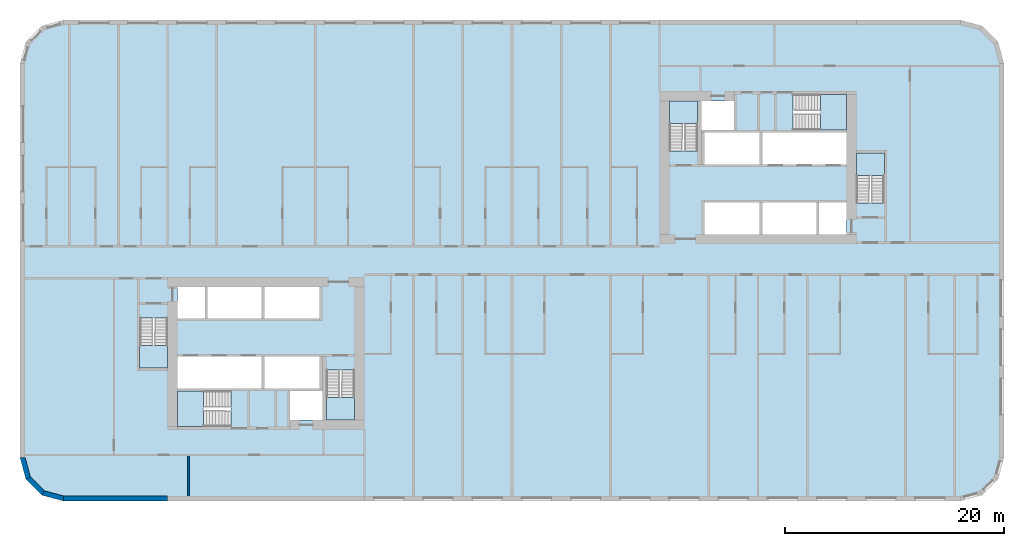
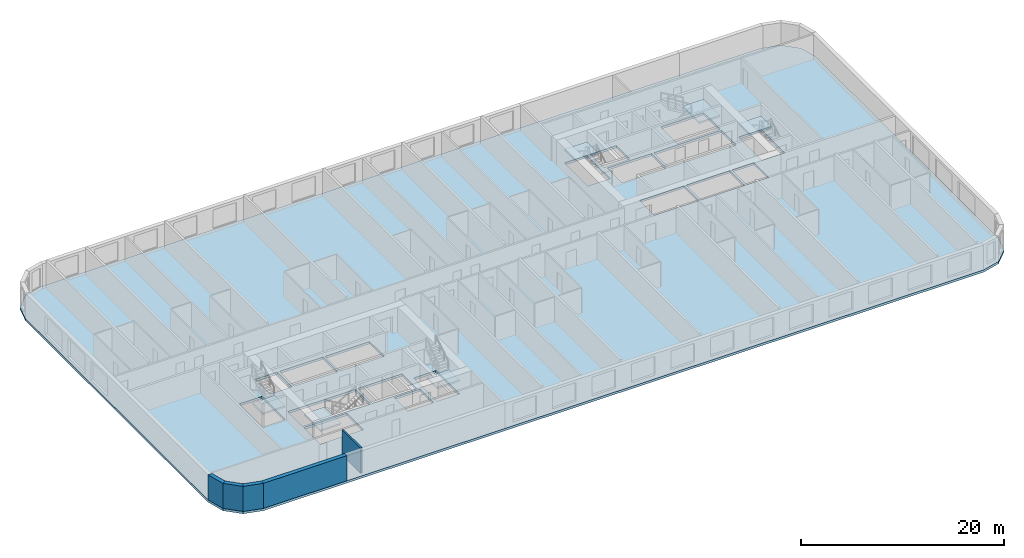
# One storey, part 1 of 12: 7 slabs, 5 walls, 6 elements without a shape of their own.
"""IFC4 building model written with IfcOpenShell, lengths in metres."""

import ifcopenshell
import ifcopenshell.guid

model = None  # the IFC model being written
_history = None  # IfcOwnerHistory: only IFC2X3 demands one
_inside = {}  # id of a spatial element -> (the spatial element, [elements in it])
_under = {}  # id of a project, library or spatial element -> (it, [spatial elements below it])
_declared = {}  # id of a project -> (the project, [libraries it declares])
_typed = {}  # id of a type object -> (the type object, [elements of that type])
_made_of = {}  # id of a material, layer set ... -> (it, [elements and type objects made of it])


def new_model(schema):
    """Start an empty IFC model of exactly this schema.

    Asked for "IFC4X3", IfcOpenShell would pick the latest addendum, in which some entities
    have other attributes; the version numbers below select the first issue.
    IFC2X3 requires an IfcOwnerHistory on every rooted entity: one is made here for all.
    """
    global model, _history
    if schema == "IFC4X3":
        model = ifcopenshell.file(schema_version=(4, 3, 0, 0))
    else:
        model = ifcopenshell.file(schema=schema)
    _inside.clear()
    _under.clear()
    _declared.clear()
    _typed.clear()
    _made_of.clear()
    _history = None
    if model.schema == "IFC2X3":
        org = make("IfcOrganization", Name="unknown")
        user = make(
            "IfcPersonAndOrganization",
            ThePerson=make("IfcPerson", FamilyName="unknown"),
            TheOrganization=org,
        )
        app = make(
            "IfcApplication",
            ApplicationDeveloper=org,
            Version="unknown",
            ApplicationFullName="unknown",
            ApplicationIdentifier="unknown",
        )
        _history = make(
            "IfcOwnerHistory",
            OwningUser=user,
            OwningApplication=app,
            ChangeAction="ADDED",
            CreationDate=0,
        )
    return model


def make(cls, **values):
    """One entity of the class cls with the attributes given. An attribute that is None is left unset."""
    return model.create_entity(
        cls, **{name: value for name, value in values.items() if value is not None}
    )


def rooted(cls, **values):
    """An entity with a GlobalId (a new one), such as an element, a storey or a relation."""
    return make(cls, GlobalId=ifcopenshell.guid.new(), OwnerHistory=_history, **values)


def si_unit(unit_type, name, prefix=None):
    """IfcSIUnit, for example si_unit("LENGTHUNIT", "METRE", prefix="MILLI")."""
    return make("IfcSIUnit", UnitType=unit_type, Prefix=prefix, Name=name)


def assignment(units):
    """IfcUnitAssignment: the units of a project."""
    return None if units is None else make("IfcUnitAssignment", Units=units)


def point(xyz):
    """IfcCartesianPoint."""
    return None if xyz is None else make("IfcCartesianPoint", Coordinates=xyz)


def direction(xyz):
    """IfcDirection."""
    return None if xyz is None else make("IfcDirection", DirectionRatios=xyz)


def frame(location, z_axis=None, x_axis=None):
    """IfcAxis2Placement3D, a coordinate frame: its origin and axes. An axis left out is left unset."""
    return make(
        "IfcAxis2Placement3D",
        Location=point(location),
        Axis=direction(z_axis),
        RefDirection=direction(x_axis),
    )


def frame_2d(location, x_axis=None):
    """IfcAxis2Placement2D, a coordinate frame in the plane: its origin and x axis."""
    return make(
        "IfcAxis2Placement2D", Location=point(location), RefDirection=direction(x_axis)
    )


def origin():
    """The frame at (0, 0, 0) with its axes left unset."""
    return frame((0.0, 0.0, 0.0))


def place(relative_to, where):
    """IfcLocalPlacement: puts the frame where relative to a parent placement (None: the world)."""
    return make(
        "IfcLocalPlacement", PlacementRelTo=relative_to, RelativePlacement=where
    )


def context(
    kind, dimensions, precision=None, world=None, true_north=None, identifier=None
):
    """IfcGeometricRepresentationContext, for example the 3D "Model" context."""
    return make(
        "IfcGeometricRepresentationContext",
        ContextIdentifier=identifier,
        ContextType=kind,
        CoordinateSpaceDimension=dimensions,
        Precision=precision,
        WorldCoordinateSystem=world,
        TrueNorth=true_north,
    )


def subcontext(parent, identifier, kind, view, scale=None):
    """IfcGeometricRepresentationSubContext, for example "Body" below "Model"."""
    return make(
        "IfcGeometricRepresentationSubContext",
        ContextIdentifier=identifier,
        ContextType=kind,
        ParentContext=parent,
        TargetScale=scale,
        TargetView=view,
    )


def project(units=None, contexts=None):
    """IfcProject with its units and contexts."""
    return rooted(
        "IfcProject",
        Name="project",
        RepresentationContexts=contexts,
        UnitsInContext=assignment(units),
    )


def spatial(cls, under=None, at=None, **own):
    """A site, building, storey or space (cls), placed at a placement, below another one or the project."""
    s = rooted(cls, ObjectPlacement=at, **own)
    if under is not None:
        _under.setdefault(under.id(), (under, []))[1].append(s)
    return s


def polyline(points):
    """IfcPolyline through the points."""
    return make("IfcPolyline", Points=[point(p) for p in points])


def profile(cls, at=None, kind="AREA", **sizes):
    """A parametric profile (cls). Its sizes go by their IFC names, for example OverallWidth=200.0."""
    return make(cls, ProfileType=kind, Position=at, **sizes)


def rectangle(**sizes):
    """IfcRectangleProfileDef."""
    return profile("IfcRectangleProfileDef", **sizes)


def outline(outer, holes=None, kind="AREA"):
    """IfcArbitraryClosedProfileDef: a profile drawn as a closed curve; with holes, ...WithVoids."""
    if holes is None:
        return make("IfcArbitraryClosedProfileDef", ProfileType=kind, OuterCurve=outer)
    return make(
        "IfcArbitraryProfileDefWithVoids",
        ProfileType=kind,
        OuterCurve=outer,
        InnerCurves=holes,
    )


def extrude(swept, where, along, depth):
    """IfcExtrudedAreaSolid: the profile swept, set in the frame where, extruded along a direction by depth."""
    return make(
        "IfcExtrudedAreaSolid",
        SweptArea=swept,
        Position=where,
        ExtrudedDirection=direction(along),
        Depth=depth,
    )


def shape(context_of_items, identifier, shape_type, items):
    """IfcShapeRepresentation: the items that make up one representation, for example the "Body"."""
    return make(
        "IfcShapeRepresentation",
        ContextOfItems=context_of_items,
        RepresentationIdentifier=identifier,
        RepresentationType=shape_type,
        Items=items,
    )


def material(Name=None, Category=None):
    """IfcMaterial."""
    return make("IfcMaterial", Name=Name, Category=Category)


def layer(
    of_material, thickness, ventilated=None, Name=None, Category=None, Priority=None
):
    """IfcMaterialLayer: one layer of a wall or slab, of a material (None: an air gap)."""
    return make(
        "IfcMaterialLayer",
        Material=of_material,
        LayerThickness=thickness,
        IsVentilated=ventilated,
        Name=Name,
        Category=Category,
        Priority=Priority,
    )


def layer_set(layers, Name=None):
    """IfcMaterialLayerSet."""
    return make("IfcMaterialLayerSet", MaterialLayers=layers, LayerSetName=Name)


def made_of(thing, what):
    """Note that an element or type object is made of a material, layer set ...; save() writes the relation."""
    if what is not None:
        _made_of.setdefault(what.id(), (what, []))[1].append(thing)
    return thing


def type_object(cls, material=None, **own):
    """A type object (cls), such as IfcWallType, which elements share."""
    return made_of(rooted(cls, **own), material)


def element(
    cls,
    number,
    at=None,
    inside=None,
    cuts=None,
    type_object=None,
    material=None,
    context=None,
    identifier="Body",
    shape_type=None,
    held_by="IfcProductDefinitionShape",
    body=None,
    shapes=None,
    **own,
):
    """One element of the class cls, such as IfcWall. Its Tag is "e" and its number.

    at: its placement. inside: the storey or other place that contains it. cuts: it is an
    opening in that element (IfcRelVoidsElement). A single representation is given by context,
    identifier, shape_type and body (its items); several are given by shapes. held_by: the class
    of the entity that holds the representations. save() writes the other relations.
    """
    e = rooted(cls, Tag="e%d" % number, ObjectPlacement=at, **own)
    if body is not None:
        shapes = [shape(context, identifier, shape_type, body)]
    if shapes is not None:
        e.Representation = make(held_by, Representations=shapes)
    if inside is not None:
        _inside.setdefault(inside.id(), (inside, []))[1].append(e)
    if cuts is not None:
        rooted(
            "IfcRelVoidsElement", RelatingBuildingElement=cuts, RelatedOpeningElement=e
        )
    if type_object is not None:
        _typed.setdefault(type_object.id(), (type_object, []))[1].append(e)
    return made_of(e, material)


def aggregate(whole, parts):
    """IfcRelAggregates: a whole, such as a stair, and the parts it consists of."""
    return rooted("IfcRelAggregates", RelatingObject=whole, RelatedObjects=parts)


def save(model, path):
    """Write the relations noted so far, then the file.

    IfcRelAggregates (storeys below a building ...), IfcRelContainedInSpatialStructure (elements
    in a storey), IfcRelDefinesByType, IfcRelAssociatesMaterial and IfcRelDeclares: one each for
    every whole, place, type object, material and project.
    """
    for whole, parts in _under.values():
        aggregate(whole, parts)
    for where, things in _inside.values():
        rooted(
            "IfcRelContainedInSpatialStructure",
            RelatedElements=things,
            RelatingStructure=where,
        )
    for kind, things in _typed.values():
        rooted("IfcRelDefinesByType", RelatedObjects=things, RelatingType=kind)
    for what, things in _made_of.values():
        rooted("IfcRelAssociatesMaterial", RelatedObjects=things, RelatingMaterial=what)
    for by, libraries in _declared.values():
        rooted("IfcRelDeclares", RelatingContext=by, RelatedDefinitions=libraries)
    model.write(path)


model = new_model("IFC4")

# Units and contexts
model_context = context("Model", 3, precision=1e-05, world=origin(), true_north=direction((0.0, 1.0)))
body_context = subcontext(model_context, "Body", "Model", "MODEL_VIEW")
ifc_project = project(units=[si_unit("LENGTHUNIT", "METRE"), si_unit("AREAUNIT", "SQUARE_METRE"), si_unit("VOLUMEUNIT", "CUBIC_METRE"), si_unit("PLANEANGLEUNIT", "RADIAN"), si_unit("MASSUNIT", "GRAM", prefix="KILO")], contexts=[model_context])

# Site, building, storey
site_placement = place(None, origin())
site = spatial("IfcSite", under=ifc_project, at=site_placement, CompositionType="ELEMENT")
building_placement = place(site_placement, origin())
building = spatial("IfcBuilding", under=site, at=building_placement, Name="Kajstack Hotel Tower", CompositionType="ELEMENT")
storey_placement = place(building_placement, frame((0.0, 0.0, 76.5)))
storey = spatial("IfcBuildingStorey", under=building, at=storey_placement, Name="L14", CompositionType="ELEMENT", Elevation=76.5)

# Slab
ifc_material_1 = material(Name="Concrete C40/50", Category="concrete")
ifc_layer_1 = layer(ifc_material_1, 0.280029296875)
ifc_layer_set_1 = layer_set([ifc_layer_1], Name="RC slab 280 C40/50 guest")
slab_type_1 = type_object("IfcSlabType", Name="RC slab 280 C40/50 guest", PredefinedType="FLOOR", material=ifc_layer_set_1)
slab_1_placement = place(storey_placement, frame((0.0, 0.0, -0.280029296875)))
element("IfcSlab", 1, at=slab_1_placement, inside=storey, type_object=slab_type_1, Name="S-slab-L14", PredefinedType="FLOOR", context=body_context, shape_type="SweptSolid", body=[
    extrude(outline(polyline([(-45.0, -18.0), (-44.464111328125, -20.0), (-43.0, -21.464111328125), (-41.0, -22.0), (41.0, -22.0), (43.0, -21.464111328125), (44.464111328125, -20.0), (45.0, -18.0), (45.0, 18.0), (44.464111328125, 20.0), (43.0, 21.464111328125), (41.0, 22.0), (-41.0, 22.0), (-43.0, 21.464111328125), (-44.464111328125, 20.0), (-45.0, 18.0), (-45.0, -18.0)]), holes=[polyline([(-30.60009765625, -11.699951171875), (-30.60009765625, -8.800048828125), (-22.89990234375, -8.800048828125), (-22.89990234375, -11.699951171875), (-30.60009765625, -11.699951171875)]), polyline([(-22.64990234375, -11.699951171875), (-22.64990234375, -8.800048828125), (-17.60009765625, -8.800048828125), (-17.60009765625, -11.699951171875), (-22.64990234375, -11.699951171875)]), polyline([(-27.85009765625, -5.300048828125), (-27.85009765625, -2.39990234375), (-22.89990234375, -2.39990234375), (-22.89990234375, -5.300048828125), (-27.85009765625, -5.300048828125)]), polyline([(-22.64990234375, -5.300048828125), (-22.64990234375, -2.39990234375), (-17.60009765625, -2.39990234375), (-17.60009765625, -5.300048828125), (-22.64990234375, -5.300048828125)]), polyline([(-20.300048828125, -14.60009765625), (-17.35009765625, -14.60009765625), (-17.35009765625, -11.949951171875), (-20.300048828125, -11.949951171875), (-20.300048828125, -14.60009765625)]), polyline([(-30.60009765625, -5.300048828125), (-28.10009765625, -5.300048828125), (-28.10009765625, -2.39990234375), (-30.60009765625, -2.39990234375), (-30.60009765625, -5.300048828125)]), polyline([(22.89990234375, 8.800048828125), (22.89990234375, 11.699951171875), (30.60009765625, 11.699951171875), (30.60009765625, 8.800048828125), (22.89990234375, 8.800048828125)]), polyline([(17.60009765625, 8.800048828125), (17.60009765625, 11.699951171875), (22.64990234375, 11.699951171875), (22.64990234375, 8.800048828125), (17.60009765625, 8.800048828125)]), polyline([(22.89990234375, 2.39990234375), (22.89990234375, 5.300048828125), (27.85009765625, 5.300048828125), (27.85009765625, 2.39990234375), (22.89990234375, 2.39990234375)]), polyline([(17.60009765625, 2.39990234375), (17.60009765625, 5.300048828125), (22.64990234375, 5.300048828125), (22.64990234375, 2.39990234375), (17.60009765625, 2.39990234375)]), polyline([(20.300048828125, 14.60009765625), (17.35009765625, 14.60009765625), (17.35009765625, 11.949951171875), (20.300048828125, 11.949951171875), (20.300048828125, 14.60009765625)]), polyline([(30.60009765625, 5.300048828125), (28.10009765625, 5.300048828125), (28.10009765625, 2.39990234375), (30.60009765625, 2.39990234375), (30.60009765625, 5.300048828125)]), polyline([(-34.050048828125, -9.85009765625), (-31.5, -9.85009765625), (-31.5, -5.25), (-34.050048828125, -5.25), (-34.050048828125, -9.85009765625)]), polyline([(-16.949951171875, -14.60009765625), (-14.39990234375, -14.60009765625), (-14.39990234375, -10.0), (-16.949951171875, -10.0), (-16.949951171875, -14.60009765625)]), polyline([(-30.60009765625, -15.199951171875), (-25.699951171875, -15.199951171875), (-25.699951171875, -11.949951171875), (-30.60009765625, -11.949951171875), (-30.60009765625, -15.199951171875)]), polyline([(34.050048828125, 9.85009765625), (31.5, 9.85009765625), (31.5, 5.25), (34.050048828125, 5.25), (34.050048828125, 9.85009765625)]), polyline([(16.949951171875, 14.60009765625), (14.39990234375, 14.60009765625), (14.39990234375, 10.0), (16.949951171875, 10.0), (16.949951171875, 14.60009765625)]), polyline([(30.60009765625, 15.199951171875), (25.699951171875, 15.199951171875), (25.699951171875, 11.949951171875), (30.60009765625, 11.949951171875), (30.60009765625, 15.199951171875)])]), origin(), (0.0, 0.0, 1.0), 0.280029296875),
])

# Stair, slab
stair_type_1 = type_object("IfcStairType", Name="Exit stair 1200", PredefinedType="HALF_TURN_STAIR", material=ifc_material_1)
stair_1_placement = place(storey_placement, origin())
stair_1 = element("IfcStair", 2, at=stair_1_placement, inside=storey, type_object=stair_type_1, Name="L14 stair W1", PredefinedType="HALF_TURN_STAIR")
ifc_layer_2 = layer(ifc_material_1, 0.199951171875)
ifc_layer_set_2 = layer_set([ifc_layer_2], Name="Stair landing 200")
slab_type_2 = type_object("IfcSlabType", Name="Stair landing 200", PredefinedType="LANDING", material=ifc_layer_set_2)
slab_2_placement = place(storey_placement, frame((0.0, 0.0, 1.449951171875)))
slab_2 = element("IfcSlab", 3, at=slab_2_placement, type_object=slab_type_2, Name="W1 landing 1", PredefinedType="LANDING", context=body_context, shape_type="SweptSolid", body=[
    extrude(outline(polyline([(-34.050048828125, -7.77001953125), (-34.050048828125, -9.85009765625), (-31.5, -9.85009765625), (-31.5, -7.77001953125), (-34.050048828125, -7.77001953125)])), origin(), (0.0, 0.0, 1.0), 0.199951171875),
])
aggregate(stair_1, [slab_2])

stair_2_placement = place(storey_placement, origin())
stair_2 = element("IfcStair", 4, at=stair_2_placement, inside=storey, type_object=stair_type_1, Name="L14 stair W2", PredefinedType="HALF_TURN_STAIR")
slab_3_placement = place(storey_placement, frame((0.0, 0.0, 1.449951171875)))
slab_3 = element("IfcSlab", 5, at=slab_3_placement, type_object=slab_type_2, Name="W2 landing 1", PredefinedType="LANDING", context=body_context, shape_type="SweptSolid", body=[
    extrude(outline(polyline([(-16.949951171875, -12.52001953125), (-16.949951171875, -14.60009765625), (-14.39990234375, -14.60009765625), (-14.39990234375, -12.52001953125), (-16.949951171875, -12.52001953125)])), origin(), (0.0, 0.0, 1.0), 0.199951171875),
])
aggregate(stair_2, [slab_3])

stair_type_2 = type_object("IfcStairType", Name="Exit stair 1500", PredefinedType="HALF_TURN_STAIR", material=ifc_material_1)
stair_3_placement = place(storey_placement, origin())
stair_3 = element("IfcStair", 6, at=stair_3_placement, inside=storey, type_object=stair_type_2, Name="L14 stair W3", PredefinedType="HALF_TURN_STAIR")
slab_4_placement = place(storey_placement, frame((0.0, 0.0, 1.449951171875)))
slab_4 = element("IfcSlab", 7, at=slab_4_placement, type_object=slab_type_2, Name="W3 landing 1", PredefinedType="LANDING", context=body_context, shape_type="SweptSolid", body=[
    extrude(outline(polyline([(-28.219970703125, -11.949951171875), (-30.60009765625, -11.949951171875), (-30.60009765625, -15.199951171875), (-28.219970703125, -15.199951171875), (-28.219970703125, -11.949951171875)])), origin(), (0.0, 0.0, 1.0), 0.199951171875),
])
aggregate(stair_3, [slab_4])

stair_4_placement = place(storey_placement, origin())
stair_4 = element("IfcStair", 8, at=stair_4_placement, inside=storey, type_object=stair_type_1, Name="L14 stair E1", PredefinedType="HALF_TURN_STAIR")
slab_5_placement = place(storey_placement, frame((0.0, 0.0, 1.449951171875)))
slab_5 = element("IfcSlab", 9, at=slab_5_placement, type_object=slab_type_2, Name="E1 landing 1", PredefinedType="LANDING", context=body_context, shape_type="SweptSolid", body=[
    extrude(outline(polyline([(34.050048828125, 7.77001953125), (34.050048828125, 9.85009765625), (31.5, 9.85009765625), (31.5, 7.77001953125), (34.050048828125, 7.77001953125)])), origin(), (0.0, 0.0, 1.0), 0.199951171875),
])
aggregate(stair_4, [slab_5])

stair_5_placement = place(storey_placement, origin())
stair_5 = element("IfcStair", 10, at=stair_5_placement, inside=storey, type_object=stair_type_1, Name="L14 stair E2", PredefinedType="HALF_TURN_STAIR")
slab_6_placement = place(storey_placement, frame((0.0, 0.0, 1.449951171875)))
slab_6 = element("IfcSlab", 11, at=slab_6_placement, type_object=slab_type_2, Name="E2 landing 1", PredefinedType="LANDING", context=body_context, shape_type="SweptSolid", body=[
    extrude(outline(polyline([(16.949951171875, 12.52001953125), (16.949951171875, 14.60009765625), (14.39990234375, 14.60009765625), (14.39990234375, 12.52001953125), (16.949951171875, 12.52001953125)])), origin(), (0.0, 0.0, 1.0), 0.199951171875),
])
aggregate(stair_5, [slab_6])

stair_6_placement = place(storey_placement, origin())
stair_6 = element("IfcStair", 12, at=stair_6_placement, inside=storey, type_object=stair_type_2, Name="L14 stair E3", PredefinedType="HALF_TURN_STAIR")
slab_7_placement = place(storey_placement, frame((0.0, 0.0, 1.449951171875)))
slab_7 = element("IfcSlab", 13, at=slab_7_placement, type_object=slab_type_2, Name="E3 landing 1", PredefinedType="LANDING", context=body_context, shape_type="SweptSolid", body=[
    extrude(outline(polyline([(28.219970703125, 11.949951171875), (30.60009765625, 11.949951171875), (30.60009765625, 15.199951171875), (28.219970703125, 15.199951171875), (28.219970703125, 11.949951171875)])), origin(), (0.0, 0.0, 1.0), 0.199951171875),
])
aggregate(stair_6, [slab_7])

# Walls
ifc_material_2 = material(Name="Terracotta-faced brick masonry", Category="masonry")
ifc_layer_3 = layer(ifc_material_2, 0.449951171875)
ifc_layer_set_3 = layer_set([ifc_layer_3], Name="EW-TERRA")
wall_type_1 = type_object("IfcWallType", Name="EW-TERRA", PredefinedType="SOLIDWALL", material=ifc_layer_set_3)
wall_1_placement = place(storey_placement, frame((-44.78271484375, -17.941650390625, 0.0), z_axis=(0.0, 0.0, 1.0), x_axis=(0.25881466832, -0.965926999034, 0.0)))
element("IfcWall", 14, at=wall_1_placement, inside=storey, type_object=wall_type_1, Name="E-wall-L14-00-00", PredefinedType="SOLIDWALL", context=body_context, shape_type="SweptSolid", body=[
    extrude(outline(polyline([(0.000244140625, -0.22509765625), (2.070556640625, -0.224853515625), (1.9501953125, 0.22509765625), (0.12060546875, 0.22509765625), (0.000244140625, -0.22509765625)])), origin(), (0.0, 0.0, 1.0), 3.02001953125),
])
wall_2_placement = place(storey_placement, frame((-44.304931640625, -19.8408203125, 0.0), z_axis=(0.0, 0.0, 1.0), x_axis=(0.707106781187, -0.707106781187, 0.0)))
element("IfcWall", 15, at=wall_2_placement, inside=storey, type_object=wall_type_1, Name="E-wall-L14-01-00", PredefinedType="SOLIDWALL", context=body_context, shape_type="SweptSolid", body=[
    extrude(outline(polyline([(0.0, -0.22509765625), (2.070556640625, -0.22509765625), (1.949951171875, 0.224853515625), (0.12060546875, 0.224853515625), (0.0, -0.22509765625)])), origin(), (0.0, 0.0, 1.0), 3.02001953125),
])
wall_3_placement = place(storey_placement, frame((-42.941650390625, -21.246826171875, 0.0), z_axis=(0.0, 0.0, 1.0), x_axis=(0.965926999034, -0.25881466832, 0.0)))
element("IfcWall", 16, at=wall_3_placement, inside=storey, type_object=wall_type_1, Name="E-wall-L14-02-00", PredefinedType="SOLIDWALL", context=body_context, shape_type="SweptSolid", body=[
    extrude(outline(polyline([(-0.000244140625, -0.224853515625), (2.0703125, -0.22509765625), (1.949951171875, 0.22509765625), (0.120361328125, 0.22509765625), (-0.000244140625, -0.224853515625)])), origin(), (0.0, 0.0, 1.0), 3.02001953125),
])
wall_4_placement = place(storey_placement, frame((-41.0, -21.77490234375, 0.0), z_axis=(0.0, 0.0, 1.0), x_axis=(1.0, 0.0, 0.0)))
element("IfcWall", 17, at=wall_4_placement, inside=storey, type_object=wall_type_1, Name="E-wall-L14-03-00", PredefinedType="SOLIDWALL", context=body_context, shape_type="SweptSolid", body=[
    extrude(rectangle(XDim=9.5, YDim=0.449951171875, at=frame_2d((4.75, 0.0))), origin(), (0.0, 0.0, 1.0), 3.02001953125),
])
ifc_material_3 = material(Name="Gypsum board on steel studs, mineral wool", Category="steel")
ifc_layer_4 = layer(ifc_material_3, 0.199951171875)
ifc_layer_set_4 = layer_set([ifc_layer_4], Name="Service partition 200")
wall_type_2 = type_object("IfcWallType", Name="Service partition 200", PredefinedType="PARTITIONING", material=ifc_layer_set_4)
wall_5_placement = place(storey_placement, frame((-29.60009765625, -21.550048828125, 0.0), z_axis=(0.0, 0.0, 1.0), x_axis=(0.0, 1.0, 0.0)))
element("IfcWall", 18, at=wall_5_placement, inside=storey, type_object=wall_type_2, Name="Partition W SLP0", PredefinedType="PARTITIONING", context=body_context, shape_type="SweptSolid", body=[
    extrude(rectangle(XDim=3.650146484375, YDim=0.199951171875, at=frame_2d((1.8251953125, 0.0))), origin(), (0.0, 0.0, 1.0), 3.02001953125),
])

save(model, "model.ifc")
